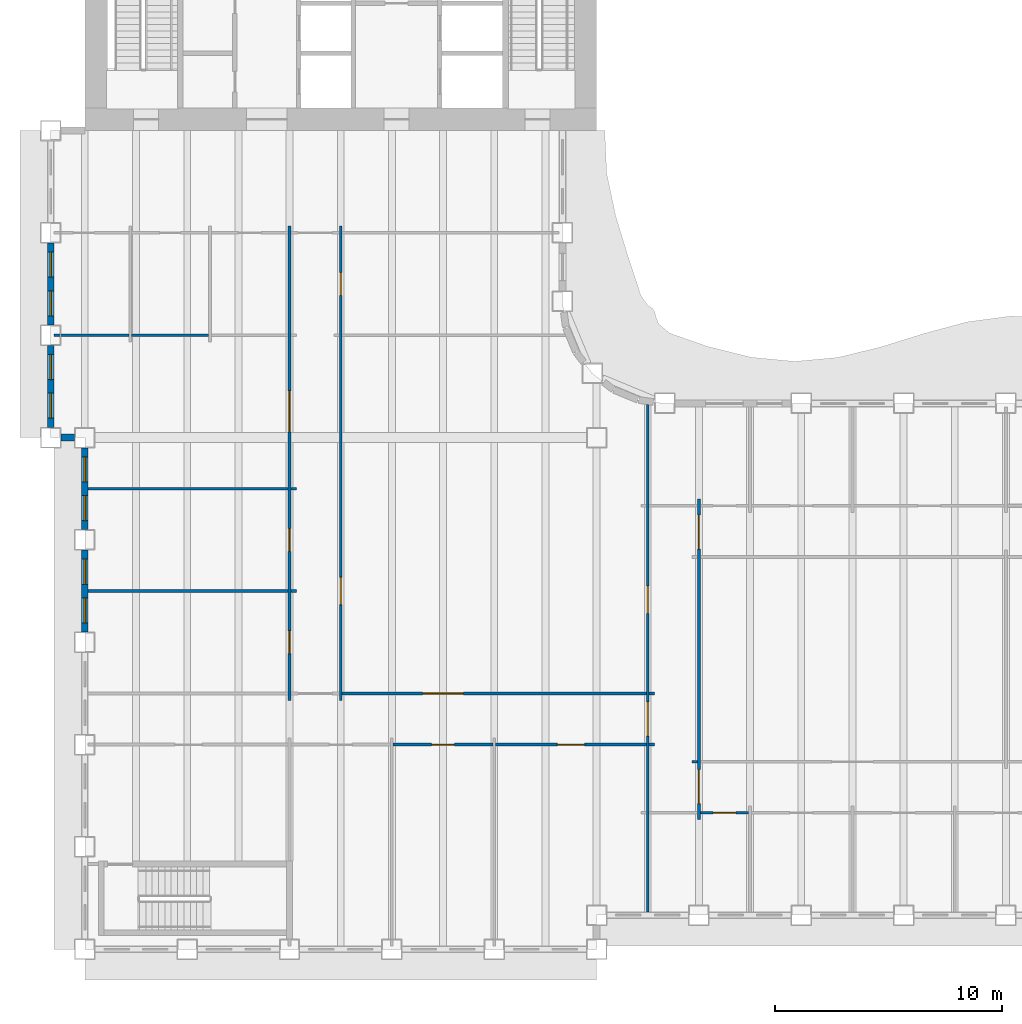
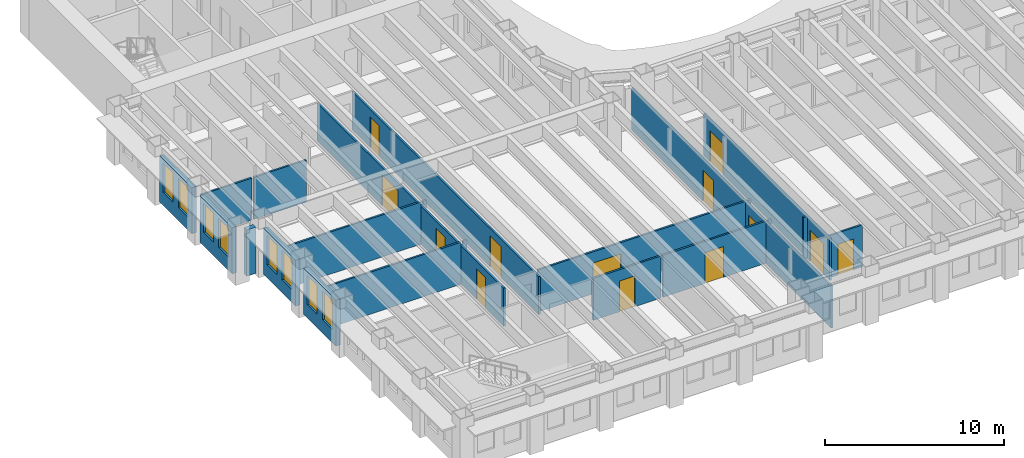
# One storey, part 4 of 16: 22 walls, 13 doors, 8 windows, 21 openings.
"""IFC4 building model written with IfcOpenShell, lengths in metres."""

from ifc_helpers import new_model, si_unit, direction, frame, frame_2d, origin, place, context, subcontext, project, spatial, rectangle, extrude, material, layer, layer_set, type_object, element, fill, save


model = new_model("IFC4")

# Units and contexts
model_context = context("Model", 3, precision=1e-05, world=origin(), true_north=direction((0.0, 1.0)))
body_context = subcontext(model_context, "Body", "Model", "MODEL_VIEW")
ifc_project = project(units=[si_unit("LENGTHUNIT", "METRE"), si_unit("AREAUNIT", "SQUARE_METRE"), si_unit("VOLUMEUNIT", "CUBIC_METRE"), si_unit("PLANEANGLEUNIT", "RADIAN"), si_unit("MASSUNIT", "GRAM", prefix="KILO")], contexts=[model_context])

# Site, building, storey
site_placement = place(None, origin())
site = spatial("IfcSite", under=ifc_project, at=site_placement, CompositionType="ELEMENT")
building_placement = place(site_placement, origin())
building = spatial("IfcBuilding", under=site, at=building_placement, Name="Sennacour Bend Tower", CompositionType="ELEMENT")
storey_placement = place(building_placement, frame((0.0, 0.0, 167.0)))
storey = spatial("IfcBuildingStorey", under=building, at=storey_placement, Name="L38", CompositionType="ELEMENT", Elevation=167.0)

# Wall, openings, doors
ifc_material_1 = material(Name="Plasterboard partition on steel studs", Category="steel")
ifc_layer_1 = layer(ifc_material_1, 0.1201171875, Name="Plasterboard partition on steel studs", Category="steel")
ifc_layer_set_1 = layer_set([ifc_layer_1], Name="Plasterboard partition on steel studs")
wall_type_1 = type_object("IfcWallType", Name="Partition 120", PredefinedType="PARTITIONING", material=ifc_layer_set_1)
wall_1_placement = place(storey_placement, frame((9.0, 10.949951171875, 0.0), z_axis=(0.0, 0.0, 1.0), x_axis=(0.0, 1.0, 0.0)))
wall_1 = element("IfcWall", 1, at=wall_1_placement, inside=storey, type_object=wall_type_1, Name="P-L38-W012a", PredefinedType="PARTITIONING", context=body_context, shape_type="SweptSolid", body=[
    extrude(rectangle(XDim=20.85009765625, YDim=0.1201171875, at=frame_2d((10.425048828125, 0.0))), origin(), (0.0, 0.0, 1.0), 2.60009765625),
])
opening_1_placement = place(wall_1_placement, frame((2.050048828125, 0.0, 0.0)))
opening_1 = element("IfcOpeningElement", 2, at=opening_1_placement, cuts=wall_1, Name="Opening OD2", PredefinedType="OPENING", context=body_context, shape_type="SweptSolid", body=[
    extrude(rectangle(XDim=1.0, YDim=2.10009765625, at=frame_2d((0.5, 1.050048828125))), frame((0.0, 0.070068359375, 0.0), z_axis=(0.0, -1.0, 0.0), x_axis=(1.0, 0.0, 0.0)), (0.0, 0.0, 1.0), 0.14013671875),
])
opening_2_placement = place(wall_1_placement, frame((6.550048828125, 0.0, 0.0)))
opening_2 = element("IfcOpeningElement", 3, at=opening_2_placement, cuts=wall_1, Name="Opening OD2", PredefinedType="OPENING", context=body_context, shape_type="SweptSolid", body=[
    extrude(rectangle(XDim=1.0, YDim=2.10009765625, at=frame_2d((0.5, 1.050048828125))), frame((0.0, 0.070068359375, 0.0), z_axis=(0.0, -1.0, 0.0), x_axis=(1.0, 0.0, 0.0)), (0.0, 0.0, 1.0), 0.14013671875),
])
opening_3_placement = place(wall_1_placement, frame((11.804931640625, 0.0, 0.0)))
opening_3 = element("IfcOpeningElement", 4, at=opening_3_placement, cuts=wall_1, Name="Opening OD3", PredefinedType="OPENING", context=body_context, shape_type="SweptSolid", body=[
    extrude(rectangle(XDim=1.800048828125, YDim=2.10009765625, at=frame_2d((0.89990234375, 1.050048828125))), frame((0.0, 0.070068359375, 0.0), z_axis=(0.0, -1.0, 0.0), x_axis=(1.0, 0.0, 0.0)), (0.0, 0.0, 1.0), 0.14013671875),
])
ifc_material_2 = material(Name="Timber", Category="wood")
door_type_1 = type_object("IfcDoorType", Name="DR-OFFICE-1000", OperationType="NOTDEFINED", PredefinedType="DOOR", material=ifc_material_2)
door_1_placement = place(opening_1_placement, origin())
door_1 = element("IfcDoor", 5, at=door_1_placement, inside=storey, type_object=door_type_1, Name="Door", OperationType="SINGLE_SWING_LEFT", OverallHeight=2.10009765625, OverallWidth=1.0, PredefinedType="DOOR", context=body_context, shape_type="SweptSolid", body=[
    extrude(rectangle(XDim=1.0, YDim=2.10009765625, at=frame_2d((0.5, 1.050048828125))), frame((0.0, 0.02490234375, 0.0), z_axis=(0.0, -1.0, 0.0), x_axis=(1.0, 0.0, 0.0)), (0.0, 0.0, 1.0), 0.050048828125),
])
fill(opening_1, door_1)
door_2_placement = place(opening_2_placement, origin())
door_2 = element("IfcDoor", 6, at=door_2_placement, inside=storey, type_object=door_type_1, Name="Door", OperationType="SINGLE_SWING_LEFT", OverallHeight=2.10009765625, OverallWidth=1.0, PredefinedType="DOOR", context=body_context, shape_type="SweptSolid", body=[
    extrude(rectangle(XDim=1.0, YDim=2.10009765625, at=frame_2d((0.5, 1.050048828125))), frame((0.0, 0.02490234375, 0.0), z_axis=(0.0, -1.0, 0.0), x_axis=(1.0, 0.0, 0.0)), (0.0, 0.0, 1.0), 0.050048828125),
])
fill(opening_2, door_2)
door_type_2 = type_object("IfcDoorType", Name="DR-OFFICE-1800", OperationType="NOTDEFINED", PredefinedType="DOOR", material=ifc_material_2)
door_3_placement = place(opening_3_placement, origin())
door_3 = element("IfcDoor", 7, at=door_3_placement, inside=storey, type_object=door_type_2, Name="Door", OperationType="DOUBLE_DOOR_SINGLE_SWING", OverallHeight=2.10009765625, OverallWidth=1.800048828125, PredefinedType="DOOR", context=body_context, shape_type="SweptSolid", body=[
    extrude(rectangle(XDim=1.800048828125, YDim=2.10009765625, at=frame_2d((0.89990234375, 1.050048828125))), frame((0.0, 0.02490234375, 0.0), z_axis=(0.0, -1.0, 0.0), x_axis=(1.0, 0.0, 0.0)), (0.0, 0.0, 1.0), 0.050048828125),
])
fill(opening_3, door_3)

wall_2_placement = place(storey_placement, frame((11.25, 10.949951171875, 0.0), z_axis=(0.0, 0.0, 1.0), x_axis=(0.0, 1.0, 0.0)))
wall_2 = element("IfcWall", 8, at=wall_2_placement, inside=storey, type_object=wall_type_1, Name="P-L38-W014a", PredefinedType="PARTITIONING", context=body_context, shape_type="SweptSolid", body=[
    extrude(rectangle(XDim=20.85009765625, YDim=0.1201171875, at=frame_2d((10.425048828125, 0.0))), origin(), (0.0, 0.0, 1.0), 2.60009765625),
])
opening_4_placement = place(wall_2_placement, frame((17.800048828125, 0.0, 0.0)))
opening_4 = element("IfcOpeningElement", 9, at=opening_4_placement, cuts=wall_2, Name="Opening OD2", PredefinedType="OPENING", context=body_context, shape_type="SweptSolid", body=[
    extrude(rectangle(XDim=1.0, YDim=2.10009765625, at=frame_2d((0.5, 1.050048828125))), frame((0.0, 0.070068359375, 0.0), z_axis=(0.0, -1.0, 0.0), x_axis=(1.0, 0.0, 0.0)), (0.0, 0.0, 1.0), 0.14013671875),
])
opening_5_placement = place(wall_2_placement, frame((4.199951171875, 0.0, 0.0)))
opening_5 = element("IfcOpeningElement", 10, at=opening_5_placement, cuts=wall_2, Name="Opening OD", PredefinedType="OPENING", context=body_context, shape_type="SweptSolid", body=[
    extrude(rectangle(XDim=1.199951171875, YDim=2.10009765625, at=frame_2d((0.60009765625, 1.050048828125))), frame((0.0, 0.070068359375, 0.0), z_axis=(0.0, -1.0, 0.0), x_axis=(1.0, 0.0, 0.0)), (0.0, 0.0, 1.0), 0.14013671875),
])
door_4_placement = place(opening_4_placement, origin())
door_4 = element("IfcDoor", 11, at=door_4_placement, inside=storey, type_object=door_type_1, Name="Door", OperationType="SINGLE_SWING_RIGHT", OverallHeight=2.10009765625, OverallWidth=1.0, PredefinedType="DOOR", context=body_context, shape_type="SweptSolid", body=[
    extrude(rectangle(XDim=1.0, YDim=2.10009765625, at=frame_2d((0.5, 1.050048828125))), frame((0.0, 0.02490234375, 0.0), z_axis=(0.0, -1.0, 0.0), x_axis=(1.0, 0.0, 0.0)), (0.0, 0.0, 1.0), 0.050048828125),
])
fill(opening_4, door_4)
door_type_3 = type_object("IfcDoorType", Name="DR-OFFICE-1200", OperationType="NOTDEFINED", PredefinedType="DOOR", material=ifc_material_2)
door_5_placement = place(opening_5_placement, origin())
door_5 = element("IfcDoor", 12, at=door_5_placement, inside=storey, type_object=door_type_3, Name="Door", OperationType="SINGLE_SWING_LEFT", OverallHeight=2.10009765625, OverallWidth=1.199951171875, PredefinedType="DOOR", context=body_context, shape_type="SweptSolid", body=[
    extrude(rectangle(XDim=1.199951171875, YDim=2.10009765625, at=frame_2d((0.60009765625, 1.050048828125))), frame((0.0, 0.02490234375, 0.0), z_axis=(0.0, -1.0, 0.0), x_axis=(1.0, 0.0, 0.0)), (0.0, 0.0, 1.0), 0.050048828125),
])
fill(opening_5, door_5)

# Wall, opening, door
wall_3_placement = place(storey_placement, frame((27.06005859375, 6.0, 0.0), z_axis=(0.0, 0.0, 1.0), x_axis=(1.0, 0.0, 0.0)))
wall_3 = element("IfcWall", 13, at=wall_3_placement, inside=storey, type_object=wall_type_1, Name="P-L38-W058ac", PredefinedType="PARTITIONING", context=body_context, shape_type="SweptSolid", body=[
    extrude(rectangle(XDim=2.1298828125, YDim=0.1201171875, at=frame_2d((1.06494140625, 0.0))), origin(), (0.0, 0.0, 1.0), 2.8701171875),
])
opening_6_placement = place(wall_3_placement, frame((0.56494140625, 0.0, 0.0)))
opening_6 = element("IfcOpeningElement", 14, at=opening_6_placement, cuts=wall_3, Name="Opening OD2", PredefinedType="OPENING", context=body_context, shape_type="SweptSolid", body=[
    extrude(rectangle(XDim=1.0, YDim=2.10009765625, at=frame_2d((0.5, 1.050048828125))), frame((0.0, 0.070068359375, 0.0), z_axis=(0.0, -1.0, 0.0), x_axis=(1.0, 0.0, 0.0)), (0.0, 0.0, 1.0), 0.14013671875),
])
door_6_placement = place(opening_6_placement, origin())
door_6 = element("IfcDoor", 15, at=door_6_placement, inside=storey, type_object=door_type_1, Name="Door", OperationType="SINGLE_SWING_LEFT", OverallHeight=2.10009765625, OverallWidth=1.0, PredefinedType="DOOR", context=body_context, shape_type="SweptSolid", body=[
    extrude(rectangle(XDim=1.0, YDim=2.10009765625, at=frame_2d((0.5, 1.050048828125))), frame((0.0, 0.02490234375, 0.0), z_axis=(0.0, -1.0, 0.0), x_axis=(1.0, 0.0, 0.0)), (0.0, 0.0, 1.0), 0.050048828125),
])
fill(opening_6, door_6)

# Wall
wall_4_placement = place(storey_placement, frame((26.699951171875, 8.25, 0.0), z_axis=(0.0, 0.0, 1.0), x_axis=(1.0, 0.0, 0.0)))
element("IfcWall", 16, at=wall_4_placement, inside=storey, type_object=wall_type_1, Name="P-L38-W060aa", PredefinedType="PARTITIONING", context=body_context, shape_type="SweptSolid", body=[
    extrude(rectangle(XDim=0.239990234375, YDim=0.1201171875, at=frame_2d((0.1201171875, 0.0))), origin(), (0.0, 0.0, 1.0), 2.8701171875),
])

# Wall, opening, door
wall_5_placement = place(storey_placement, frame((13.56005859375, 9.0, 0.0), z_axis=(0.0, 0.0, 1.0), x_axis=(1.0, 0.0, 0.0)))
wall_5 = element("IfcWall", 17, at=wall_5_placement, inside=storey, type_object=wall_type_1, Name="P-L38-W061ac", PredefinedType="PARTITIONING", context=body_context, shape_type="SweptSolid", body=[
    extrude(rectangle(XDim=4.3798828125, YDim=0.1201171875, at=frame_2d((2.18994140625, 0.0))), origin(), (0.0, 0.0, 1.0), 2.8701171875),
])
opening_7_placement = place(wall_5_placement, frame((1.68994140625, 0.0, 0.0)))
opening_7 = element("IfcOpeningElement", 18, at=opening_7_placement, cuts=wall_5, Name="Opening OD2", PredefinedType="OPENING", context=body_context, shape_type="SweptSolid", body=[
    extrude(rectangle(XDim=1.0, YDim=2.10009765625, at=frame_2d((0.5, 1.050048828125))), frame((0.0, 0.070068359375, 0.0), z_axis=(0.0, -1.0, 0.0), x_axis=(1.0, 0.0, 0.0)), (0.0, 0.0, 1.0), 0.14013671875),
])
door_7_placement = place(opening_7_placement, origin())
door_7 = element("IfcDoor", 19, at=door_7_placement, inside=storey, type_object=door_type_1, Name="Door", OperationType="SINGLE_SWING_LEFT", OverallHeight=2.10009765625, OverallWidth=1.0, PredefinedType="DOOR", context=body_context, shape_type="SweptSolid", body=[
    extrude(rectangle(XDim=1.0, YDim=2.10009765625, at=frame_2d((0.5, 1.050048828125))), frame((0.0, 0.02490234375, 0.0), z_axis=(0.0, -1.0, 0.0), x_axis=(1.0, 0.0, 0.0)), (0.0, 0.0, 1.0), 0.050048828125),
])
fill(opening_7, door_7)

wall_6_placement = place(storey_placement, frame((18.06005859375, 9.0, 0.0), z_axis=(0.0, 0.0, 1.0), x_axis=(1.0, 0.0, 0.0)))
wall_6 = element("IfcWall", 20, at=wall_6_placement, inside=storey, type_object=wall_type_1, Name="P-L38-W061ad", PredefinedType="PARTITIONING", context=body_context, shape_type="SweptSolid", body=[
    extrude(rectangle(XDim=6.6298828125, YDim=0.1201171875, at=frame_2d((3.31494140625, 0.0))), origin(), (0.0, 0.0, 1.0), 2.8701171875),
])
opening_8_placement = place(wall_6_placement, frame((2.71484375, 0.0, 0.0)))
opening_8 = element("IfcOpeningElement", 21, at=opening_8_placement, cuts=wall_6, Name="Opening OD", PredefinedType="OPENING", context=body_context, shape_type="SweptSolid", body=[
    extrude(rectangle(XDim=1.199951171875, YDim=2.10009765625, at=frame_2d((0.60009765625, 1.050048828125))), frame((0.0, 0.070068359375, 0.0), z_axis=(0.0, -1.0, 0.0), x_axis=(1.0, 0.0, 0.0)), (0.0, 0.0, 1.0), 0.14013671875),
])
door_8_placement = place(opening_8_placement, origin())
door_8 = element("IfcDoor", 22, at=door_8_placement, inside=storey, type_object=door_type_3, Name="Door", OperationType="SINGLE_SWING_LEFT", OverallHeight=2.10009765625, OverallWidth=1.199951171875, PredefinedType="DOOR", context=body_context, shape_type="SweptSolid", body=[
    extrude(rectangle(XDim=1.199951171875, YDim=2.10009765625, at=frame_2d((0.60009765625, 1.050048828125))), frame((0.0, 0.02490234375, 0.0), z_axis=(0.0, -1.0, 0.0), x_axis=(1.0, 0.0, 0.0)), (0.0, 0.0, 1.0), 0.050048828125),
])
fill(opening_8, door_8)

# Wall
wall_7_placement = place(storey_placement, frame((24.81005859375, 9.0, 0.0), z_axis=(0.0, 0.0, 1.0), x_axis=(1.0, 0.0, 0.0)))
element("IfcWall", 23, at=wall_7_placement, inside=storey, type_object=wall_type_1, Name="P-L38-W061ae", PredefinedType="PARTITIONING", context=body_context, shape_type="SweptSolid", body=[
    extrude(rectangle(XDim=0.239990234375, YDim=0.1201171875, at=frame_2d((0.1201171875, 0.0))), origin(), (0.0, 0.0, 1.0), 2.8701171875),
])

# Wall, opening, door
wall_8_placement = place(storey_placement, frame((11.31005859375, 11.25, 0.0), z_axis=(0.0, 0.0, 1.0), x_axis=(1.0, 0.0, 0.0)))
wall_8 = element("IfcWall", 24, at=wall_8_placement, inside=storey, type_object=wall_type_1, Name="P-L38-W063ac", PredefinedType="PARTITIONING", context=body_context, shape_type="SweptSolid", body=[
    extrude(rectangle(XDim=13.3798828125, YDim=0.1201171875, at=frame_2d((6.68994140625, 0.0))), origin(), (0.0, 0.0, 1.0), 2.8701171875),
])
opening_9_placement = place(wall_8_placement, frame((3.539794921875, 0.0, 0.0)))
opening_9 = element("IfcOpeningElement", 25, at=opening_9_placement, cuts=wall_8, Name="Opening OD3", PredefinedType="OPENING", context=body_context, shape_type="SweptSolid", body=[
    extrude(rectangle(XDim=1.800048828125, YDim=2.10009765625, at=frame_2d((0.89990234375, 1.050048828125))), frame((0.0, 0.070068359375, 0.0), z_axis=(0.0, -1.0, 0.0), x_axis=(1.0, 0.0, 0.0)), (0.0, 0.0, 1.0), 0.14013671875),
])
door_9_placement = place(opening_9_placement, origin())
door_9 = element("IfcDoor", 26, at=door_9_placement, inside=storey, type_object=door_type_2, Name="Door", OperationType="DOUBLE_DOOR_SINGLE_SWING", OverallHeight=2.10009765625, OverallWidth=1.800048828125, PredefinedType="DOOR", context=body_context, shape_type="SweptSolid", body=[
    extrude(rectangle(XDim=1.800048828125, YDim=2.10009765625, at=frame_2d((0.89990234375, 1.050048828125))), frame((0.0, 0.02490234375, 0.0), z_axis=(0.0, -1.0, 0.0), x_axis=(1.0, 0.0, 0.0)), (0.0, 0.0, 1.0), 0.050048828125),
])
fill(opening_9, door_9)

# Walls
wall_9_placement = place(storey_placement, frame((24.81005859375, 11.25, 0.0), z_axis=(0.0, 0.0, 1.0), x_axis=(1.0, 0.0, 0.0)))
element("IfcWall", 27, at=wall_9_placement, inside=storey, type_object=wall_type_1, Name="P-L38-W063ad", PredefinedType="PARTITIONING", context=body_context, shape_type="SweptSolid", body=[
    extrude(rectangle(XDim=0.239990234375, YDim=0.1201171875, at=frame_2d((0.1201171875, 0.0))), origin(), (0.0, 0.0, 1.0), 2.8701171875),
])
wall_10_placement = place(storey_placement, frame((0.14990234375, 15.75, 0.0), z_axis=(0.0, 0.0, 1.0), x_axis=(1.0, 0.0, 0.0)))
element("IfcWall", 28, at=wall_10_placement, inside=storey, type_object=wall_type_1, Name="P-L38-W069aa", PredefinedType="PARTITIONING", context=body_context, shape_type="SweptSolid", body=[
    extrude(rectangle(XDim=8.7900390625, YDim=0.1201171875, at=frame_2d((4.39501953125, 0.0))), origin(), (0.0, 0.0, 1.0), 2.8701171875),
])
wall_11_placement = place(storey_placement, frame((9.06005859375, 15.75, 0.0), z_axis=(0.0, 0.0, 1.0), x_axis=(1.0, 0.0, 0.0)))
element("IfcWall", 29, at=wall_11_placement, inside=storey, type_object=wall_type_1, Name="P-L38-W069ab", PredefinedType="PARTITIONING", context=body_context, shape_type="SweptSolid", body=[
    extrude(rectangle(XDim=0.239990234375, YDim=0.1201171875, at=frame_2d((0.1201171875, 0.0))), origin(), (0.0, 0.0, 1.0), 2.8701171875),
])
wall_12_placement = place(storey_placement, frame((0.14990234375, 20.25, 0.0), z_axis=(0.0, 0.0, 1.0), x_axis=(1.0, 0.0, 0.0)))
element("IfcWall", 30, at=wall_12_placement, inside=storey, type_object=wall_type_1, Name="P-L38-W075aa", PredefinedType="PARTITIONING", context=body_context, shape_type="SweptSolid", body=[
    extrude(rectangle(XDim=8.7900390625, YDim=0.1201171875, at=frame_2d((4.39501953125, 0.0))), origin(), (0.0, 0.0, 1.0), 2.8701171875),
])
wall_13_placement = place(storey_placement, frame((9.06005859375, 20.25, 0.0), z_axis=(0.0, 0.0, 1.0), x_axis=(1.0, 0.0, 0.0)))
element("IfcWall", 31, at=wall_13_placement, inside=storey, type_object=wall_type_1, Name="P-L38-W075ab", PredefinedType="PARTITIONING", context=body_context, shape_type="SweptSolid", body=[
    extrude(rectangle(XDim=0.239990234375, YDim=0.1201171875, at=frame_2d((0.1201171875, 0.0))), origin(), (0.0, 0.0, 1.0), 2.8701171875),
])
wall_14_placement = place(storey_placement, frame((-1.35009765625, 27.0, 0.0), z_axis=(0.0, 0.0, 1.0), x_axis=(1.0, 0.0, 0.0)))
element("IfcWall", 32, at=wall_14_placement, inside=storey, type_object=wall_type_1, Name="P-L38-W077aa", PredefinedType="PARTITIONING", context=body_context, shape_type="SweptSolid", body=[
    extrude(rectangle(XDim=3.2900390625, YDim=0.1201171875, at=frame_2d((1.64501953125, 0.0))), origin(), (0.0, 0.0, 1.0), 2.8701171875),
])
wall_15_placement = place(storey_placement, frame((2.06005859375, 27.0, 0.0), z_axis=(0.0, 0.0, 1.0), x_axis=(1.0, 0.0, 0.0)))
element("IfcWall", 33, at=wall_15_placement, inside=storey, type_object=wall_type_1, Name="P-L38-W077ab", PredefinedType="PARTITIONING", context=body_context, shape_type="SweptSolid", body=[
    extrude(rectangle(XDim=3.3798828125, YDim=0.1201171875, at=frame_2d((1.68994140625, 0.0))), origin(), (0.0, 0.0, 1.0), 2.8701171875),
])

# Wall, openings, doors
ifc_layer_2 = layer(ifc_material_1, 0.1201171875, Name="Plasterboard partition on steel studs", Category="steel")
ifc_layer_set_2 = layer_set([ifc_layer_2], Name="Plasterboard partition on steel studs")
wall_type_2 = type_object("IfcWallType", Name="Partition 120 EI 30", PredefinedType="PARTITIONING", material=ifc_layer_set_2)
wall_16_placement = place(storey_placement, frame((24.75, 1.64990234375, 0.0), z_axis=(0.0, 0.0, 1.0), x_axis=(0.0, 1.0, 0.0)))
wall_16 = element("IfcWall", 34, at=wall_16_placement, inside=storey, type_object=wall_type_2, Name="P-L38-W024a", PredefinedType="PARTITIONING", context=body_context, shape_type="SweptSolid", body=[
    extrude(rectangle(XDim=22.297607421875, YDim=0.1201171875, at=frame_2d((11.14892578125, 0.0))), origin(), (0.0, 0.0, 1.0), 2.8701171875),
])
opening_10_placement = place(wall_16_placement, frame((7.72509765625, 0.0, 0.0)))
opening_10 = element("IfcOpeningElement", 35, at=opening_10_placement, cuts=wall_16, Name="Opening KD", PredefinedType="OPENING", context=body_context, shape_type="SweptSolid", body=[
    extrude(rectangle(XDim=1.5, YDim=2.10009765625, at=frame_2d((0.75, 1.050048828125))), frame((0.0, 0.070068359375, 0.0), z_axis=(0.0, -1.0, 0.0), x_axis=(1.0, 0.0, 0.0)), (0.0, 0.0, 1.0), 0.14013671875),
])
opening_11_placement = place(wall_16_placement, frame((13.125, 0.0, 0.0)))
opening_11 = element("IfcOpeningElement", 36, at=opening_11_placement, cuts=wall_16, Name="Opening OD", PredefinedType="OPENING", context=body_context, shape_type="SweptSolid", body=[
    extrude(rectangle(XDim=1.199951171875, YDim=2.10009765625, at=frame_2d((0.60009765625, 1.050048828125))), frame((0.0, 0.070068359375, 0.0), z_axis=(0.0, -1.0, 0.0), x_axis=(1.0, 0.0, 0.0)), (0.0, 0.0, 1.0), 0.14013671875),
])
ifc_material_3 = material(Name="Painted steel", Category="steel")
door_type_4 = type_object("IfcDoorType", Name="DR-CORRIDOR-1500", OperationType="NOTDEFINED", PredefinedType="DOOR", material=ifc_material_3)
door_10_placement = place(opening_10_placement, origin())
door_10 = element("IfcDoor", 37, at=door_10_placement, inside=storey, type_object=door_type_4, Name="Door", OperationType="SINGLE_SWING_LEFT", OverallHeight=2.10009765625, OverallWidth=1.5, PredefinedType="DOOR", context=body_context, shape_type="SweptSolid", body=[
    extrude(rectangle(XDim=1.5, YDim=2.10009765625, at=frame_2d((0.75, 1.050048828125))), frame((0.0, 0.02490234375, 0.0), z_axis=(0.0, -1.0, 0.0), x_axis=(1.0, 0.0, 0.0)), (0.0, 0.0, 1.0), 0.050048828125),
])
fill(opening_10, door_10)
door_11_placement = place(opening_11_placement, origin())
door_11 = element("IfcDoor", 38, at=door_11_placement, inside=storey, type_object=door_type_3, Name="Door", OperationType="SINGLE_SWING_RIGHT", OverallHeight=2.10009765625, OverallWidth=1.199951171875, PredefinedType="DOOR", context=body_context, shape_type="SweptSolid", body=[
    extrude(rectangle(XDim=1.199951171875, YDim=2.10009765625, at=frame_2d((0.60009765625, 1.050048828125))), frame((0.0, 0.02490234375, 0.0), z_axis=(0.0, -1.0, 0.0), x_axis=(1.0, 0.0, 0.0)), (0.0, 0.0, 1.0), 0.050048828125),
])
fill(opening_11, door_11)

wall_17_placement = place(storey_placement, frame((27.0, 5.699951171875, 0.0), z_axis=(0.0, 0.0, 1.0), x_axis=(0.0, 1.0, 0.0)))
wall_17 = element("IfcWall", 39, at=wall_17_placement, inside=storey, type_object=wall_type_2, Name="P-L38-W025a", PredefinedType="PARTITIONING", context=body_context, shape_type="SweptSolid", body=[
    extrude(rectangle(XDim=14.10009765625, YDim=0.1201171875, at=frame_2d((7.050048828125, 0.0))), origin(), (0.0, 0.0, 1.0), 2.8701171875),
])
opening_12_placement = place(wall_17_placement, frame((0.705078125, 0.0, 0.0)))
opening_12 = element("IfcOpeningElement", 40, at=opening_12_placement, cuts=wall_17, Name="Opening KD", PredefinedType="OPENING", context=body_context, shape_type="SweptSolid", body=[
    extrude(rectangle(XDim=1.5, YDim=2.10009765625, at=frame_2d((0.75, 1.050048828125))), frame((0.0, 0.070068359375, 0.0), z_axis=(0.0, -1.0, 0.0), x_axis=(1.0, 0.0, 0.0)), (0.0, 0.0, 1.0), 0.14013671875),
])
opening_13_placement = place(wall_17_placement, frame((11.89501953125, 0.0, 0.0)))
opening_13 = element("IfcOpeningElement", 41, at=opening_13_placement, cuts=wall_17, Name="Opening KD", PredefinedType="OPENING", context=body_context, shape_type="SweptSolid", body=[
    extrude(rectangle(XDim=1.5, YDim=2.10009765625, at=frame_2d((0.75, 1.050048828125))), frame((0.0, 0.070068359375, 0.0), z_axis=(0.0, -1.0, 0.0), x_axis=(1.0, 0.0, 0.0)), (0.0, 0.0, 1.0), 0.14013671875),
])
door_12_placement = place(opening_12_placement, origin())
door_12 = element("IfcDoor", 42, at=door_12_placement, inside=storey, type_object=door_type_4, Name="Door", OperationType="SINGLE_SWING_LEFT", OverallHeight=2.10009765625, OverallWidth=1.5, PredefinedType="DOOR", context=body_context, shape_type="SweptSolid", body=[
    extrude(rectangle(XDim=1.5, YDim=2.10009765625, at=frame_2d((0.75, 1.050048828125))), frame((0.0, 0.02490234375, 0.0), z_axis=(0.0, -1.0, 0.0), x_axis=(1.0, 0.0, 0.0)), (0.0, 0.0, 1.0), 0.050048828125),
])
fill(opening_12, door_12)
door_13_placement = place(opening_13_placement, origin())
door_13 = element("IfcDoor", 43, at=door_13_placement, inside=storey, type_object=door_type_4, Name="Door", OperationType="SINGLE_SWING_RIGHT", OverallHeight=2.10009765625, OverallWidth=1.5, PredefinedType="DOOR", context=body_context, shape_type="SweptSolid", body=[
    extrude(rectangle(XDim=1.5, YDim=2.10009765625, at=frame_2d((0.75, 1.050048828125))), frame((0.0, 0.02490234375, 0.0), z_axis=(0.0, -1.0, 0.0), x_axis=(1.0, 0.0, 0.0)), (0.0, 0.0, 1.0), 0.050048828125),
])
fill(opening_13, door_13)

# Wall, openings, windows
ifc_material_4 = material(Name="Warm limestone cladding", Category="masonry")
ifc_layer_3 = layer(ifc_material_4, 0.050048828125, Name="Warm limestone cladding", Category="masonry")
ifc_material_5 = material(Name="Precast concrete C40/50", Category="concrete")
ifc_layer_4 = layer(ifc_material_5, 0.25, Name="Precast concrete C40/50", Category="concrete")
ifc_layer_set_3 = layer_set([ifc_layer_3, ifc_layer_4], Name="Precast concrete C40/50 with limestone cladding")
wall_type_3 = type_object("IfcWallType", Name="STONE-CLAD PRECAST SPANDREL 300", PredefinedType="STANDARD", material=ifc_layer_set_3)
wall_18_placement = place(storey_placement, frame((-1.5, 31.050048828125, 0.0), z_axis=(0.0, 0.0, 1.0), x_axis=(0.0, -1.0, 0.0)))
wall_18 = element("IfcWall", 44, at=wall_18_placement, inside=storey, type_object=wall_type_3, Name="Stone spandrel and pier wall L38 21.01", PredefinedType="STANDARD", context=body_context, shape_type="SweptSolid", body=[
    extrude(rectangle(XDim=3.60009765625, YDim=0.300048828125, at=frame_2d((1.800048828125, 0.0))), origin(), (0.0, 0.0, 1.0), 3.14892578125),
])
opening_14_placement = place(wall_18_placement, frame((0.39990234375, 0.0, 0.89990234375)))
opening_14 = element("IfcOpeningElement", 45, at=opening_14_placement, cuts=wall_18, Name="Opening W19", PredefinedType="OPENING", context=body_context, shape_type="SweptSolid", body=[
    extrude(rectangle(XDim=1.10009765625, YDim=2.0, at=frame_2d((0.550048828125, 1.0))), frame((0.0, 0.16015625, 0.0), z_axis=(0.0, -1.0, 0.0), x_axis=(1.0, 0.0, 0.0)), (0.0, 0.0, 1.0), 0.320068359375),
])
opening_15_placement = place(wall_18_placement, frame((2.10009765625, 0.0, 0.89990234375)))
opening_15 = element("IfcOpeningElement", 46, at=opening_15_placement, cuts=wall_18, Name="Opening W19", PredefinedType="OPENING", context=body_context, shape_type="SweptSolid", body=[
    extrude(rectangle(XDim=1.10009765625, YDim=2.0, at=frame_2d((0.550048828125, 1.0))), frame((0.0, 0.16015625, 0.0), z_axis=(0.0, -1.0, 0.0), x_axis=(1.0, 0.0, 0.0)), (0.0, 0.0, 1.0), 0.320068359375),
])
ifc_material_6 = material(Name="Clear low-emissivity glass", Category="glass")
window_type = type_object("IfcWindowType", Name="WIN-RIBBON-1100x2000", PartitioningType="SINGLE_PANEL", PredefinedType="WINDOW", material=ifc_material_6)
window_1_placement = place(opening_14_placement, origin())
window_1 = element("IfcWindow", 47, at=window_1_placement, inside=storey, type_object=window_type, Name="Ribbon window L38 21.01.0", OverallHeight=2.0, OverallWidth=1.10009765625, PartitioningType="SINGLE_PANEL", PredefinedType="WINDOW", context=body_context, shape_type="SweptSolid", body=[
    extrude(rectangle(XDim=1.10009765625, YDim=2.0, at=frame_2d((0.550048828125, 1.0))), frame((0.0, 0.030029296875, 0.0), z_axis=(0.0, -1.0, 0.0), x_axis=(1.0, 0.0, 0.0)), (0.0, 0.0, 1.0), 0.06005859375),
])
fill(opening_14, window_1)
window_2_placement = place(opening_15_placement, origin())
window_2 = element("IfcWindow", 48, at=window_2_placement, inside=storey, type_object=window_type, Name="Ribbon window L38 21.01.1", OverallHeight=2.0, OverallWidth=1.10009765625, PartitioningType="SINGLE_PANEL", PredefinedType="WINDOW", context=body_context, shape_type="SweptSolid", body=[
    extrude(rectangle(XDim=1.10009765625, YDim=2.0, at=frame_2d((0.550048828125, 1.0))), frame((0.0, 0.030029296875, 0.0), z_axis=(0.0, -1.0, 0.0), x_axis=(1.0, 0.0, 0.0)), (0.0, 0.0, 1.0), 0.06005859375),
])
fill(opening_15, window_2)

wall_19_placement = place(storey_placement, frame((-1.5, 26.550048828125, 0.0), z_axis=(0.0, 0.0, 1.0), x_axis=(0.0, -1.0, 0.0)))
wall_19 = element("IfcWall", 49, at=wall_19_placement, inside=storey, type_object=wall_type_3, Name="Stone spandrel and pier wall L38 21.02", PredefinedType="STANDARD", context=body_context, shape_type="SweptSolid", body=[
    extrude(rectangle(XDim=3.60009765625, YDim=0.300048828125, at=frame_2d((1.800048828125, 0.0))), origin(), (0.0, 0.0, 1.0), 3.14892578125),
])
opening_16_placement = place(wall_19_placement, frame((0.39990234375, 0.0, 0.89990234375)))
opening_16 = element("IfcOpeningElement", 50, at=opening_16_placement, cuts=wall_19, Name="Opening W19", PredefinedType="OPENING", context=body_context, shape_type="SweptSolid", body=[
    extrude(rectangle(XDim=1.10009765625, YDim=2.0, at=frame_2d((0.550048828125, 1.0))), frame((0.0, 0.16015625, 0.0), z_axis=(0.0, -1.0, 0.0), x_axis=(1.0, 0.0, 0.0)), (0.0, 0.0, 1.0), 0.320068359375),
])
opening_17_placement = place(wall_19_placement, frame((2.10009765625, 0.0, 0.89990234375)))
opening_17 = element("IfcOpeningElement", 51, at=opening_17_placement, cuts=wall_19, Name="Opening W19", PredefinedType="OPENING", context=body_context, shape_type="SweptSolid", body=[
    extrude(rectangle(XDim=1.10009765625, YDim=2.0, at=frame_2d((0.550048828125, 1.0))), frame((0.0, 0.16015625, 0.0), z_axis=(0.0, -1.0, 0.0), x_axis=(1.0, 0.0, 0.0)), (0.0, 0.0, 1.0), 0.320068359375),
])
window_3_placement = place(opening_16_placement, origin())
window_3 = element("IfcWindow", 52, at=window_3_placement, inside=storey, type_object=window_type, Name="Ribbon window L38 21.02.0", OverallHeight=2.0, OverallWidth=1.10009765625, PartitioningType="SINGLE_PANEL", PredefinedType="WINDOW", context=body_context, shape_type="SweptSolid", body=[
    extrude(rectangle(XDim=1.10009765625, YDim=2.0, at=frame_2d((0.550048828125, 1.0))), frame((0.0, 0.030029296875, 0.0), z_axis=(0.0, -1.0, 0.0), x_axis=(1.0, 0.0, 0.0)), (0.0, 0.0, 1.0), 0.06005859375),
])
fill(opening_16, window_3)
window_4_placement = place(opening_17_placement, origin())
window_4 = element("IfcWindow", 53, at=window_4_placement, inside=storey, type_object=window_type, Name="Ribbon window L38 21.02.1", OverallHeight=2.0, OverallWidth=1.10009765625, PartitioningType="SINGLE_PANEL", PredefinedType="WINDOW", context=body_context, shape_type="SweptSolid", body=[
    extrude(rectangle(XDim=1.10009765625, YDim=2.0, at=frame_2d((0.550048828125, 1.0))), frame((0.0, 0.030029296875, 0.0), z_axis=(0.0, -1.0, 0.0), x_axis=(1.0, 0.0, 0.0)), (0.0, 0.0, 1.0), 0.06005859375),
])
fill(opening_17, window_4)

# Wall
wall_20_placement = place(storey_placement, frame((-1.050048828125, 22.5, 0.0), z_axis=(0.0, 0.0, 1.0), x_axis=(1.0, 0.0, 0.0)))
element("IfcWall", 54, at=wall_20_placement, inside=storey, type_object=wall_type_3, Name="Stone spandrel and pier wall L38 22.00", PredefinedType="STANDARD", context=body_context, shape_type="SweptSolid", body=[
    extrude(rectangle(XDim=0.60009765625, YDim=0.300048828125, at=frame_2d((0.300048828125, 0.0))), origin(), (0.0, 0.0, 1.0), 3.14892578125),
])

# Wall, openings, windows
wall_21_placement = place(storey_placement, frame((0.0, 22.050048828125, 0.0), z_axis=(0.0, 0.0, 1.0), x_axis=(0.0, -1.0, 0.0)))
wall_21 = element("IfcWall", 55, at=wall_21_placement, inside=storey, type_object=wall_type_3, Name="Stone spandrel and pier wall L38 23.00", PredefinedType="STANDARD", context=body_context, shape_type="SweptSolid", body=[
    extrude(rectangle(XDim=3.60009765625, YDim=0.300048828125, at=frame_2d((1.800048828125, 0.0))), origin(), (0.0, 0.0, 1.0), 3.14892578125),
])
opening_18_placement = place(wall_21_placement, frame((0.39990234375, 0.0, 0.89990234375)))
opening_18 = element("IfcOpeningElement", 56, at=opening_18_placement, cuts=wall_21, Name="Opening W19", PredefinedType="OPENING", context=body_context, shape_type="SweptSolid", body=[
    extrude(rectangle(XDim=1.10009765625, YDim=2.0, at=frame_2d((0.550048828125, 1.0))), frame((0.0, 0.16015625, 0.0), z_axis=(0.0, -1.0, 0.0), x_axis=(1.0, 0.0, 0.0)), (0.0, 0.0, 1.0), 0.320068359375),
])
opening_19_placement = place(wall_21_placement, frame((2.10009765625, 0.0, 0.89990234375)))
opening_19 = element("IfcOpeningElement", 57, at=opening_19_placement, cuts=wall_21, Name="Opening W19", PredefinedType="OPENING", context=body_context, shape_type="SweptSolid", body=[
    extrude(rectangle(XDim=1.10009765625, YDim=2.0, at=frame_2d((0.550048828125, 1.0))), frame((0.0, 0.16015625, 0.0), z_axis=(0.0, -1.0, 0.0), x_axis=(1.0, 0.0, 0.0)), (0.0, 0.0, 1.0), 0.320068359375),
])
window_5_placement = place(opening_18_placement, origin())
window_5 = element("IfcWindow", 58, at=window_5_placement, inside=storey, type_object=window_type, Name="Ribbon window L38 23.00.0", OverallHeight=2.0, OverallWidth=1.10009765625, PartitioningType="SINGLE_PANEL", PredefinedType="WINDOW", context=body_context, shape_type="SweptSolid", body=[
    extrude(rectangle(XDim=1.10009765625, YDim=2.0, at=frame_2d((0.550048828125, 1.0))), frame((0.0, 0.030029296875, 0.0), z_axis=(0.0, -1.0, 0.0), x_axis=(1.0, 0.0, 0.0)), (0.0, 0.0, 1.0), 0.06005859375),
])
fill(opening_18, window_5)
window_6_placement = place(opening_19_placement, origin())
window_6 = element("IfcWindow", 59, at=window_6_placement, inside=storey, type_object=window_type, Name="Ribbon window L38 23.00.1", OverallHeight=2.0, OverallWidth=1.10009765625, PartitioningType="SINGLE_PANEL", PredefinedType="WINDOW", context=body_context, shape_type="SweptSolid", body=[
    extrude(rectangle(XDim=1.10009765625, YDim=2.0, at=frame_2d((0.550048828125, 1.0))), frame((0.0, 0.030029296875, 0.0), z_axis=(0.0, -1.0, 0.0), x_axis=(1.0, 0.0, 0.0)), (0.0, 0.0, 1.0), 0.06005859375),
])
fill(opening_19, window_6)

wall_22_placement = place(storey_placement, frame((0.0, 17.550048828125, 0.0), z_axis=(0.0, 0.0, 1.0), x_axis=(0.0, -1.0, 0.0)))
wall_22 = element("IfcWall", 60, at=wall_22_placement, inside=storey, type_object=wall_type_3, Name="Stone spandrel and pier wall L38 23.01", PredefinedType="STANDARD", context=body_context, shape_type="SweptSolid", body=[
    extrude(rectangle(XDim=3.60009765625, YDim=0.300048828125, at=frame_2d((1.800048828125, 0.0))), origin(), (0.0, 0.0, 1.0), 3.14892578125),
])
opening_20_placement = place(wall_22_placement, frame((0.39990234375, 0.0, 0.89990234375)))
opening_20 = element("IfcOpeningElement", 61, at=opening_20_placement, cuts=wall_22, Name="Opening W19", PredefinedType="OPENING", context=body_context, shape_type="SweptSolid", body=[
    extrude(rectangle(XDim=1.10009765625, YDim=2.0, at=frame_2d((0.550048828125, 1.0))), frame((0.0, 0.16015625, 0.0), z_axis=(0.0, -1.0, 0.0), x_axis=(1.0, 0.0, 0.0)), (0.0, 0.0, 1.0), 0.320068359375),
])
opening_21_placement = place(wall_22_placement, frame((2.10009765625, 0.0, 0.89990234375)))
opening_21 = element("IfcOpeningElement", 62, at=opening_21_placement, cuts=wall_22, Name="Opening W19", PredefinedType="OPENING", context=body_context, shape_type="SweptSolid", body=[
    extrude(rectangle(XDim=1.10009765625, YDim=2.0, at=frame_2d((0.550048828125, 1.0))), frame((0.0, 0.16015625, 0.0), z_axis=(0.0, -1.0, 0.0), x_axis=(1.0, 0.0, 0.0)), (0.0, 0.0, 1.0), 0.320068359375),
])
window_7_placement = place(opening_20_placement, origin())
window_7 = element("IfcWindow", 63, at=window_7_placement, inside=storey, type_object=window_type, Name="Ribbon window L38 23.01.0", OverallHeight=2.0, OverallWidth=1.10009765625, PartitioningType="SINGLE_PANEL", PredefinedType="WINDOW", context=body_context, shape_type="SweptSolid", body=[
    extrude(rectangle(XDim=1.10009765625, YDim=2.0, at=frame_2d((0.550048828125, 1.0))), frame((0.0, 0.030029296875, 0.0), z_axis=(0.0, -1.0, 0.0), x_axis=(1.0, 0.0, 0.0)), (0.0, 0.0, 1.0), 0.06005859375),
])
fill(opening_20, window_7)
window_8_placement = place(opening_21_placement, origin())
window_8 = element("IfcWindow", 64, at=window_8_placement, inside=storey, type_object=window_type, Name="Ribbon window L38 23.01.1", OverallHeight=2.0, OverallWidth=1.10009765625, PartitioningType="SINGLE_PANEL", PredefinedType="WINDOW", context=body_context, shape_type="SweptSolid", body=[
    extrude(rectangle(XDim=1.10009765625, YDim=2.0, at=frame_2d((0.550048828125, 1.0))), frame((0.0, 0.030029296875, 0.0), z_axis=(0.0, -1.0, 0.0), x_axis=(1.0, 0.0, 0.0)), (0.0, 0.0, 1.0), 0.06005859375),
])
fill(opening_21, window_8)

save(model, "model.ifc")
